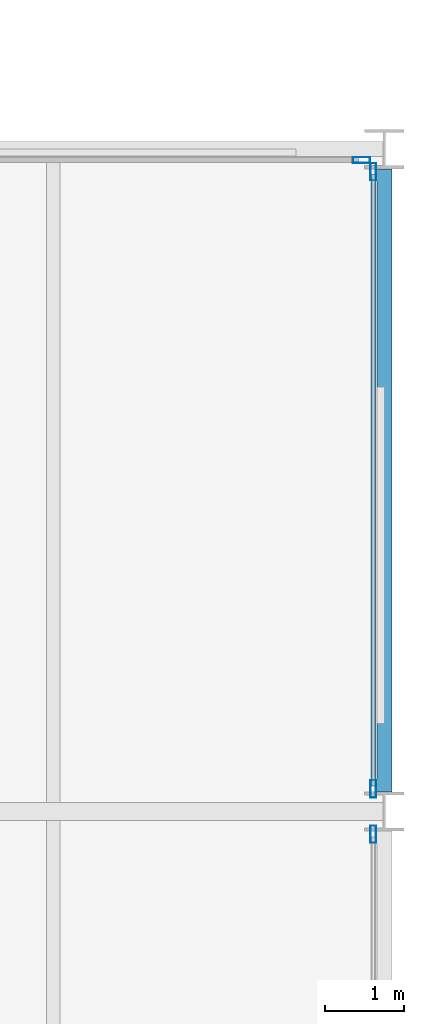
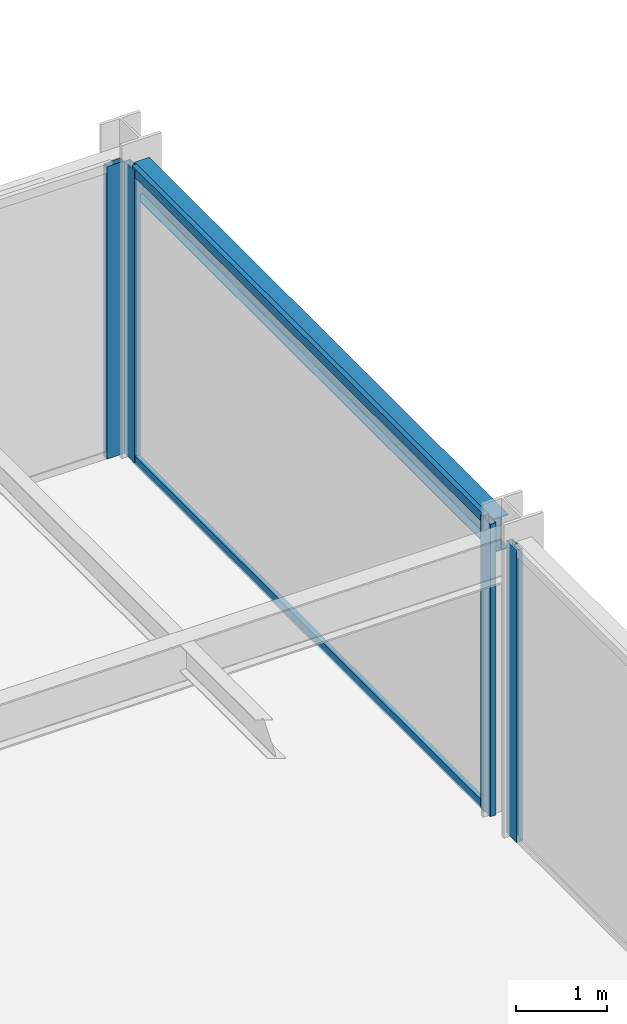
# One storey, part 13 of 24: 6 members, 1 beam, 3 elements without a shape of their own.
"""IFC4 building model written with IfcOpenShell, lengths in metres."""

from ifc_helpers import new_model, si_unit, direction, frame, origin, origin_2d, place, context, subcontext, project, spatial, hollow_rectangle, i_section, extrude, material, layer, layer_set, material_profile, profile_set, type_object, element, aggregate, save


model = new_model("IFC4")

# Units and contexts
model_context = context("Model", 3, precision=1e-05, world=origin(), true_north=direction((0.0, 1.0)))
body_context = subcontext(model_context, "Body", "Model", "MODEL_VIEW")
ifc_project = project(units=[si_unit("LENGTHUNIT", "METRE"), si_unit("AREAUNIT", "SQUARE_METRE"), si_unit("VOLUMEUNIT", "CUBIC_METRE"), si_unit("PLANEANGLEUNIT", "RADIAN"), si_unit("MASSUNIT", "GRAM", prefix="KILO")], contexts=[model_context])

# Site, building, storey
site_placement = place(None, origin())
site = spatial("IfcSite", under=ifc_project, at=site_placement, CompositionType="ELEMENT")
building_placement = place(site_placement, origin())
building = spatial("IfcBuilding", under=site, at=building_placement, Name="Nerrivon Quay Data Exchange", CompositionType="ELEMENT")
storey_placement = place(building_placement, frame((0.0, 0.0, 45.800048828125)))
storey = spatial("IfcBuildingStorey", under=building, at=storey_placement, Name="L10", CompositionType="ELEMENT", Elevation=45.800048828125)

# Beam
ifc_material_1 = material(Name="Steel Grade 350", Category="steel")
ifc_material_profile_1 = material_profile(ifc_material_1, i_section(OverallWidth=0.18994140625, OverallDepth=0.4541015625, WebThickness=0.008544921875, FlangeThickness=0.0126953125, FilletRadius=0.011474609375, at=origin_2d()), Name="460UB67.1")
ifc_profile_set_1 = profile_set([ifc_material_profile_1], Name="Steel Grade 350")
beam_type = type_object("IfcBeamType", Name="BM-SP1-460UB67", PredefinedType="SPANDREL", material=ifc_profile_set_1)
beam_placement = place(storey_placement, frame((50.39990234375, 17.050048828125, 3.697998046875), z_axis=(0.0, 1.0, 0.0), x_axis=(-1.0, 0.0, 0.0)))
element("IfcBeam", 1, at=beam_placement, inside=storey, type_object=beam_type, Name="L10 NS Girder X=50.4 (16.8..25.2)", PredefinedType="SPANDREL", context=body_context, shape_type="SweptSolid", body=[
    extrude(i_section(OverallWidth=0.18994140625, OverallDepth=0.4541015625, WebThickness=0.008544921875, FlangeThickness=0.0126953125, FilletRadius=0.011474609375, at=origin_2d()), origin(), (0.0, 0.0, 1.0), 7.89990234375),
])

# Curtain wall, member
ifc_material_2 = material(Name="Anodised aluminium 6063-T6", Category="aluminium")
ifc_layer = layer(ifc_material_2, 0.219970703125)
ifc_layer_set = layer_set([ifc_layer], Name="Anodised aluminium 6063-T6")
curtain_wall_type = type_object("IfcCurtainWallType", Name="CW-SYS-01", PredefinedType="NOTDEFINED", material=ifc_layer_set)
curtain_wall_1_placement = place(storey_placement, origin())
curtain_wall_1 = element("IfcCurtainWall", 2, at=curtain_wall_1_placement, inside=storey, type_object=curtain_wall_type, Name="L10 Unitised Curtain Wall 30", PredefinedType="NOTDEFINED")
ifc_material_profile_2 = material_profile(ifc_material_2, hollow_rectangle(XDim=0.074951171875, YDim=0.219970703125, WallThickness=0.00390625, at=origin_2d()), Name="ALU-MULL-220x75")
ifc_profile_set_2 = profile_set([ifc_material_profile_2], Name="Anodised aluminium 6063-T6")
member_type_1 = type_object("IfcMemberType", Name="CWM-220x75", PredefinedType="MULLION", material=ifc_profile_set_2)
member_1_placement = place(storey_placement, frame((50.112548828125, 25.06005859375, 0.0), z_axis=(0.0, 0.0, 1.0), x_axis=(0.0, 1.0, 0.0)))
member_1 = element("IfcMember", 3, at=member_1_placement, type_object=member_type_1, Name="CW01 mullion 2", PredefinedType="MULLION", context=body_context, shape_type="SweptSolid", body=[
    extrude(hollow_rectangle(XDim=0.074951171875, YDim=0.219970703125, WallThickness=0.00390625, at=origin_2d()), origin(), (0.0, 0.0, 1.0), 3.925048828125),
])
aggregate(curtain_wall_1, [member_1])

# Curtain wall, members
curtain_wall_2_placement = place(storey_placement, origin())
curtain_wall_2 = element("IfcCurtainWall", 4, at=curtain_wall_2_placement, inside=storey, type_object=curtain_wall_type, Name="L10 Unitised Curtain Wall 31", PredefinedType="NOTDEFINED")
member_2_placement = place(storey_placement, frame((50.260009765625, 24.91259765625, 0.0), z_axis=(0.0, 0.0, 1.0), x_axis=(1.0, 0.0, 0.0)))
member_2 = element("IfcMember", 5, at=member_2_placement, type_object=member_type_1, Name="CW01 mullion 1", PredefinedType="MULLION", context=body_context, shape_type="SweptSolid", body=[
    extrude(hollow_rectangle(XDim=0.074951171875, YDim=0.219970703125, WallThickness=0.00390625, at=origin_2d()), origin(), (0.0, 0.0, 1.0), 3.925048828125),
])
member_3_placement = place(storey_placement, frame((50.260009765625, 17.08740234375, 0.0), z_axis=(0.0, 0.0, 1.0), x_axis=(1.0, 0.0, 0.0)))
member_3 = element("IfcMember", 6, at=member_3_placement, type_object=member_type_1, Name="CW01 mullion 2", PredefinedType="MULLION", context=body_context, shape_type="SweptSolid", body=[
    extrude(hollow_rectangle(XDim=0.074951171875, YDim=0.219970703125, WallThickness=0.00390625, at=origin_2d()), origin(), (0.0, 0.0, 1.0), 3.925048828125),
])

# Curtain wall, member
curtain_wall_3_placement = place(storey_placement, origin())
curtain_wall_3 = element("IfcCurtainWall", 7, at=curtain_wall_3_placement, inside=storey, type_object=curtain_wall_type, Name="L10 Unitised Curtain Wall 32", PredefinedType="NOTDEFINED")
member_4_placement = place(storey_placement, frame((50.260009765625, 16.512451171875, 0.0), z_axis=(0.0, 0.0, 1.0), x_axis=(1.0, 0.0, 0.0)))
member_4 = element("IfcMember", 8, at=member_4_placement, type_object=member_type_1, Name="CW01 mullion 1", PredefinedType="MULLION", context=body_context, shape_type="SweptSolid", body=[
    extrude(hollow_rectangle(XDim=0.074951171875, YDim=0.219970703125, WallThickness=0.00390625, at=origin_2d()), origin(), (0.0, 0.0, 1.0), 3.925048828125),
])
aggregate(curtain_wall_3, [member_4])

# Member
ifc_material_profile_3 = material_profile(ifc_material_2, hollow_rectangle(XDim=0.06005859375, YDim=0.1201171875, WallThickness=0.003173828125, at=origin_2d()), Name="ALU-TRAN-120x60")
ifc_profile_set_3 = profile_set([ifc_material_profile_3], Name="Anodised aluminium 6063-T6")
member_type_2 = type_object("IfcMemberType", Name="CWT-120x60", PredefinedType="USERDEFINED", material=ifc_profile_set_3)
member_5_placement = place(storey_placement, frame((50.260009765625, 24.875, 0.032470703125), z_axis=(0.0, -1.0, 0.0), x_axis=(1.0, 0.0, 0.0)))
member_5 = element("IfcMember", 9, at=member_5_placement, type_object=member_type_2, Name="CW01 transom 1.1", ObjectType="TRANSOM", PredefinedType="USERDEFINED", context=body_context, shape_type="SweptSolid", body=[
    extrude(hollow_rectangle(XDim=0.06005859375, YDim=0.1201171875, WallThickness=0.003173828125, at=origin_2d()), origin(), (0.0, 0.0, 1.0), 7.75),
])

member_6_placement = place(storey_placement, frame((50.260009765625, 24.875, 3.892333984375), z_axis=(0.0, -1.0, 0.0), x_axis=(1.0, 0.0, 0.0)))
member_6 = element("IfcMember", 10, at=member_6_placement, type_object=member_type_2, Name="CW01 transom 1.2", ObjectType="TRANSOM", PredefinedType="USERDEFINED", context=body_context, shape_type="SweptSolid", body=[
    extrude(hollow_rectangle(XDim=0.06005859375, YDim=0.1201171875, WallThickness=0.003173828125, at=origin_2d()), origin(), (0.0, 0.0, 1.0), 7.75),
])

aggregate(curtain_wall_2, [member_2, member_3, member_5, member_6])

save(model, "model.ifc")
